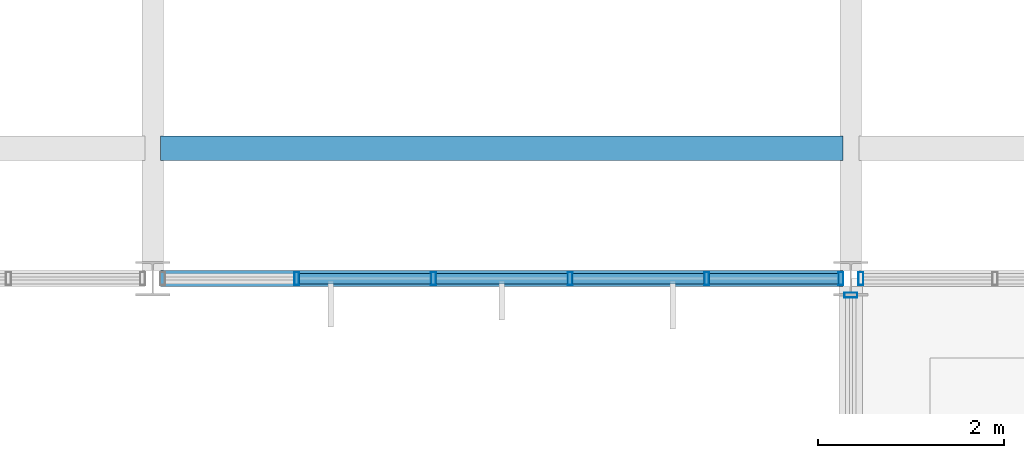
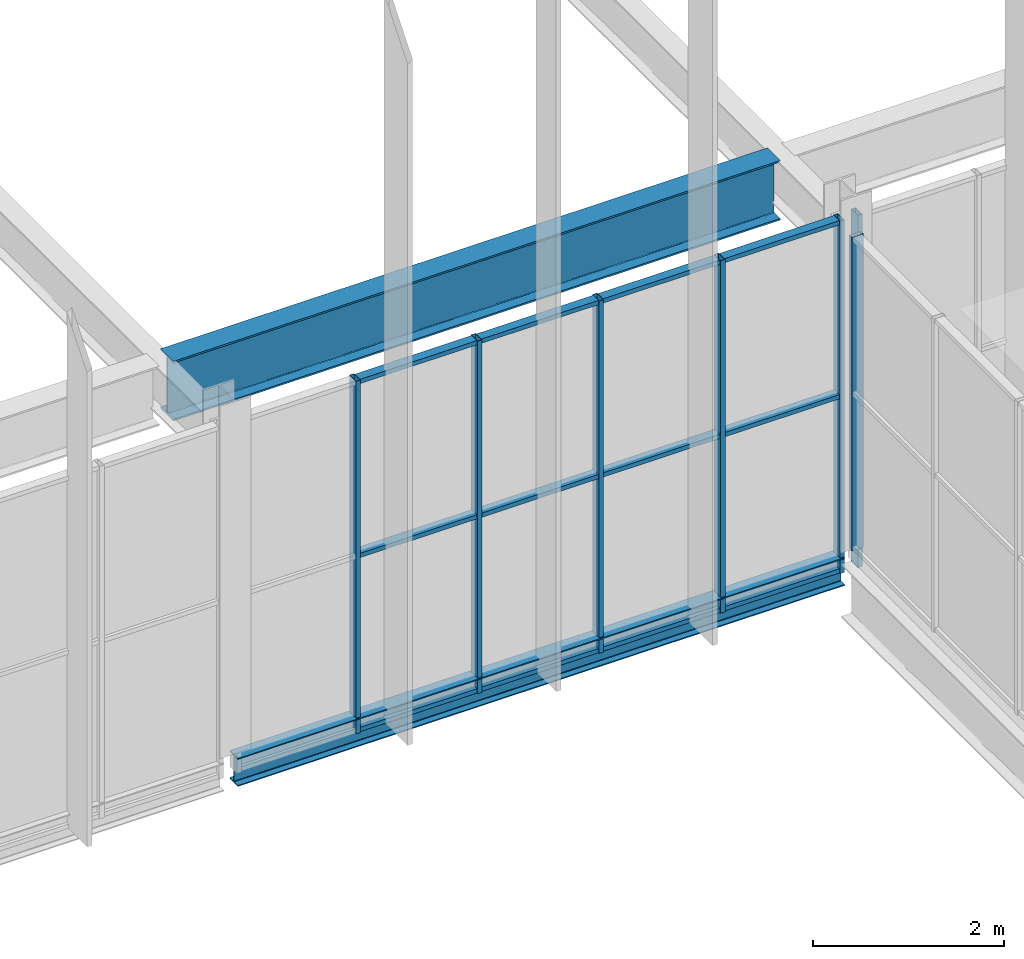
# One storey, part 178 of 324: 19 members, 2 beams, 3 elements without a shape of their own.
"""IFC4 building model written with IfcOpenShell, lengths in metres."""

from ifc_helpers import new_model, si_unit, direction, frame, origin, origin_2d, place, context, subcontext, project, spatial, hollow_rectangle, i_section, extrude, material, layer, layer_set, material_profile, profile_set, type_object, element, aggregate, save


model = new_model("IFC4")

# Units and contexts
model_context = context("Model", 3, precision=1e-05, world=origin(), true_north=direction((0.0, 1.0)))
body_context = subcontext(model_context, "Body", "Model", "MODEL_VIEW")
ifc_project = project(units=[si_unit("LENGTHUNIT", "METRE"), si_unit("AREAUNIT", "SQUARE_METRE"), si_unit("VOLUMEUNIT", "CUBIC_METRE"), si_unit("PLANEANGLEUNIT", "RADIAN"), si_unit("MASSUNIT", "GRAM", prefix="KILO")], contexts=[model_context])

# Site, building, storey
site_placement = place(None, origin())
site = spatial("IfcSite", under=ifc_project, at=site_placement, CompositionType="ELEMENT")
building_placement = place(site_placement, origin())
building = spatial("IfcBuilding", under=site, at=building_placement, Name="Solvenia Promenade Tram Depot", CompositionType="ELEMENT")
storey_placement = place(building_placement, frame((0.0, 0.0, 4.5)))
storey = spatial("IfcBuildingStorey", under=building, at=storey_placement, Name="L01", CompositionType="ELEMENT", Elevation=4.5)

# Curtain wall, members
ifc_material_1 = material(Name="Anodized aluminium AW-6063 T6", Category="aluminium")
ifc_layer_1 = layer(ifc_material_1, 0.080078125, Name="Anodized aluminium AW-6063 T6", Category="aluminium")
ifc_layer_set_1 = layer_set([ifc_layer_1], Name="Anodized aluminium AW-6063 T6")
curtain_wall_type_1 = type_object("IfcCurtainWallType", Name="CW-Clerest-1500", PredefinedType="NOTDEFINED", material=ifc_layer_set_1)
curtain_wall_1_placement = place(storey_placement, origin())
curtain_wall_1 = element("IfcCurtainWall", 1, at=curtain_wall_1_placement, inside=storey, type_object=curtain_wall_type_1, Name="Curtain Wall CW-V2S-L1-04", PredefinedType="NOTDEFINED")
ifc_material_profile_1 = material_profile(ifc_material_1, hollow_rectangle(XDim=0.139892578125, YDim=0.054931640625, WallThickness=0.00390625, at=origin_2d()), Name="ALU-M4", Category="aluminium")
ifc_profile_set_1 = profile_set([ifc_material_profile_1], Name="Anodized aluminium AW-6063 T6")
member_type_1 = type_object("IfcMemberType", Name="CWM-Mullion-4", PredefinedType="MULLION", material=ifc_profile_set_1)
member_1_placement = place(storey_placement, frame((129.048095703125, 24.0, -0.35009765625), z_axis=(0.0, 0.0, 1.0), x_axis=(0.0, 1.0, 0.0)))
member_1 = element("IfcMember", 2, at=member_1_placement, type_object=member_type_1, Name="CW-4 mullion 2", PredefinedType="MULLION", context=body_context, shape_type="SweptSolid", body=[
    extrude(hollow_rectangle(XDim=0.139892578125, YDim=0.054931640625, WallThickness=0.00390625, at=origin_2d()), origin(), (0.0, 0.0, 1.0), 4.5),
])
member_2_placement = place(storey_placement, frame((130.51611328125, 24.0, -0.35009765625), z_axis=(0.0, 0.0, 1.0), x_axis=(0.0, 1.0, 0.0)))
member_2 = element("IfcMember", 3, at=member_2_placement, type_object=member_type_1, Name="CW-4 mullion 3", PredefinedType="MULLION", context=body_context, shape_type="SweptSolid", body=[
    extrude(hollow_rectangle(XDim=0.139892578125, YDim=0.054931640625, WallThickness=0.00390625, at=origin_2d()), origin(), (0.0, 0.0, 1.0), 4.5),
])
member_3_placement = place(storey_placement, frame((131.98388671875, 24.0, -0.35009765625), z_axis=(0.0, 0.0, 1.0), x_axis=(0.0, 1.0, 0.0)))
member_3 = element("IfcMember", 4, at=member_3_placement, type_object=member_type_1, Name="CW-4 mullion 4", PredefinedType="MULLION", context=body_context, shape_type="SweptSolid", body=[
    extrude(hollow_rectangle(XDim=0.139892578125, YDim=0.054931640625, WallThickness=0.00390625, at=origin_2d()), origin(), (0.0, 0.0, 1.0), 4.5),
])
member_4_placement = place(storey_placement, frame((133.451904296875, 24.0, -0.35009765625), z_axis=(0.0, 0.0, 1.0), x_axis=(0.0, 1.0, 0.0)))
member_4 = element("IfcMember", 5, at=member_4_placement, type_object=member_type_1, Name="CW-4 mullion 5", PredefinedType="MULLION", context=body_context, shape_type="SweptSolid", body=[
    extrude(hollow_rectangle(XDim=0.139892578125, YDim=0.054931640625, WallThickness=0.00390625, at=origin_2d()), origin(), (0.0, 0.0, 1.0), 4.5),
])
member_5_placement = place(storey_placement, frame((134.892578125, 24.0, -0.35009765625), z_axis=(0.0, 0.0, 1.0), x_axis=(0.0, 1.0, 0.0)))
member_5 = element("IfcMember", 6, at=member_5_placement, type_object=member_type_1, Name="CW-4 mullion 6", PredefinedType="MULLION", context=body_context, shape_type="SweptSolid", body=[
    extrude(hollow_rectangle(XDim=0.139892578125, YDim=0.054931640625, WallThickness=0.00390625, at=origin_2d()), origin(), (0.0, 0.0, 1.0), 4.5),
])

# Curtain wall, member
curtain_wall_2_placement = place(storey_placement, origin())
curtain_wall_2 = element("IfcCurtainWall", 7, at=curtain_wall_2_placement, inside=storey, type_object=curtain_wall_type_1, Name="Curtain Wall CW-V2S-L1-05", PredefinedType="NOTDEFINED")
member_6_placement = place(storey_placement, frame((135.107421875, 24.0, -0.35009765625), z_axis=(0.0, 0.0, 1.0), x_axis=(0.0, 1.0, 0.0)))
member_6 = element("IfcMember", 8, at=member_6_placement, type_object=member_type_1, Name="CW-4 mullion 1", PredefinedType="MULLION", context=body_context, shape_type="SweptSolid", body=[
    extrude(hollow_rectangle(XDim=0.139892578125, YDim=0.054931640625, WallThickness=0.00390625, at=origin_2d()), origin(), (0.0, 0.0, 1.0), 4.5),
])
aggregate(curtain_wall_2, [member_6])

ifc_layer_2 = layer(ifc_material_1, 0.179931640625, Name="Anodized aluminium AW-6063 T6", Category="aluminium")
ifc_layer_set_2 = layer_set([ifc_layer_2], Name="Anodized aluminium AW-6063 T6")
curtain_wall_type_2 = type_object("IfcCurtainWallType", Name="CW-Prom-1800", PredefinedType="NOTDEFINED", material=ifc_layer_set_2)
curtain_wall_3_placement = place(storey_placement, origin())
curtain_wall_3 = element("IfcCurtainWall", 9, at=curtain_wall_3_placement, inside=storey, type_object=curtain_wall_type_2, Name="Curtain Wall CW-V5W-L01", PredefinedType="NOTDEFINED")
member_7_placement = place(storey_placement, frame((135.0, 23.822509765625, 0.0), z_axis=(0.0, 0.0, 1.0), x_axis=(-1.0, 0.0, 0.0)))
member_7 = element("IfcMember", 10, at=member_7_placement, type_object=member_type_1, Name="CW-9 mullion 10", PredefinedType="MULLION", context=body_context, shape_type="SweptSolid", body=[
    extrude(hollow_rectangle(XDim=0.139892578125, YDim=0.054931640625, WallThickness=0.00390625, at=origin_2d()), origin(), (0.0, 0.0, 1.0), 4.0),
])
aggregate(curtain_wall_3, [member_7])

# Member
ifc_material_profile_2 = material_profile(ifc_material_1, hollow_rectangle(XDim=0.110107421875, YDim=0.054931640625, WallThickness=0.00390625, at=origin_2d()), Name="ALU-T4", Category="aluminium")
ifc_profile_set_2 = profile_set([ifc_material_profile_2], Name="Anodized aluminium AW-6063 T6")
member_type_2 = type_object("IfcMemberType", Name="CWT-Transom-4", PredefinedType="USERDEFINED", material=ifc_profile_set_2)
member_8_placement = place(storey_placement, frame((129.075439453125, 24.0, -0.322509765625), z_axis=(1.0, 0.0, 0.0), x_axis=(0.0, 1.0, 0.0)))
member_8 = element("IfcMember", 11, at=member_8_placement, type_object=member_type_2, Name="CW-4 transom 2.1", ObjectType="TRANSOM", PredefinedType="USERDEFINED", context=body_context, shape_type="SweptSolid", body=[
    extrude(hollow_rectangle(XDim=0.110107421875, YDim=0.054931640625, WallThickness=0.00390625, at=origin_2d()), origin(), (0.0, 0.0, 1.0), 1.4130859375),
])

member_9_placement = place(storey_placement, frame((129.075439453125, 24.0, 1.89990234375), z_axis=(1.0, 0.0, 0.0), x_axis=(0.0, 1.0, 0.0)))
member_9 = element("IfcMember", 12, at=member_9_placement, type_object=member_type_2, Name="CW-4 transom 2.2", ObjectType="TRANSOM", PredefinedType="USERDEFINED", context=body_context, shape_type="SweptSolid", body=[
    extrude(hollow_rectangle(XDim=0.110107421875, YDim=0.054931640625, WallThickness=0.00390625, at=origin_2d()), origin(), (0.0, 0.0, 1.0), 1.4130859375),
])

member_10_placement = place(storey_placement, frame((129.075439453125, 24.0, 4.12255859375), z_axis=(1.0, 0.0, 0.0), x_axis=(0.0, 1.0, 0.0)))
member_10 = element("IfcMember", 13, at=member_10_placement, type_object=member_type_2, Name="CW-4 transom 2.3", ObjectType="TRANSOM", PredefinedType="USERDEFINED", context=body_context, shape_type="SweptSolid", body=[
    extrude(hollow_rectangle(XDim=0.110107421875, YDim=0.054931640625, WallThickness=0.00390625, at=origin_2d()), origin(), (0.0, 0.0, 1.0), 1.4130859375),
])

member_11_placement = place(storey_placement, frame((130.54345703125, 24.0, -0.322509765625), z_axis=(1.0, 0.0, 0.0), x_axis=(0.0, 1.0, 0.0)))
member_11 = element("IfcMember", 14, at=member_11_placement, type_object=member_type_2, Name="CW-4 transom 3.1", ObjectType="TRANSOM", PredefinedType="USERDEFINED", context=body_context, shape_type="SweptSolid", body=[
    extrude(hollow_rectangle(XDim=0.110107421875, YDim=0.054931640625, WallThickness=0.00390625, at=origin_2d()), origin(), (0.0, 0.0, 1.0), 1.4130859375),
])

member_12_placement = place(storey_placement, frame((130.54345703125, 24.0, 1.89990234375), z_axis=(1.0, 0.0, 0.0), x_axis=(0.0, 1.0, 0.0)))
member_12 = element("IfcMember", 15, at=member_12_placement, type_object=member_type_2, Name="CW-4 transom 3.2", ObjectType="TRANSOM", PredefinedType="USERDEFINED", context=body_context, shape_type="SweptSolid", body=[
    extrude(hollow_rectangle(XDim=0.110107421875, YDim=0.054931640625, WallThickness=0.00390625, at=origin_2d()), origin(), (0.0, 0.0, 1.0), 1.4130859375),
])

member_13_placement = place(storey_placement, frame((130.54345703125, 24.0, 4.12255859375), z_axis=(1.0, 0.0, 0.0), x_axis=(0.0, 1.0, 0.0)))
member_13 = element("IfcMember", 16, at=member_13_placement, type_object=member_type_2, Name="CW-4 transom 3.3", ObjectType="TRANSOM", PredefinedType="USERDEFINED", context=body_context, shape_type="SweptSolid", body=[
    extrude(hollow_rectangle(XDim=0.110107421875, YDim=0.054931640625, WallThickness=0.00390625, at=origin_2d()), origin(), (0.0, 0.0, 1.0), 1.4130859375),
])

member_14_placement = place(storey_placement, frame((132.011474609375, 24.0, -0.322509765625), z_axis=(1.0, 0.0, 0.0), x_axis=(0.0, 1.0, 0.0)))
member_14 = element("IfcMember", 17, at=member_14_placement, type_object=member_type_2, Name="CW-4 transom 4.1", ObjectType="TRANSOM", PredefinedType="USERDEFINED", context=body_context, shape_type="SweptSolid", body=[
    extrude(hollow_rectangle(XDim=0.110107421875, YDim=0.054931640625, WallThickness=0.00390625, at=origin_2d()), origin(), (0.0, 0.0, 1.0), 1.4130859375),
])

member_15_placement = place(storey_placement, frame((132.011474609375, 24.0, 1.89990234375), z_axis=(1.0, 0.0, 0.0), x_axis=(0.0, 1.0, 0.0)))
member_15 = element("IfcMember", 18, at=member_15_placement, type_object=member_type_2, Name="CW-4 transom 4.2", ObjectType="TRANSOM", PredefinedType="USERDEFINED", context=body_context, shape_type="SweptSolid", body=[
    extrude(hollow_rectangle(XDim=0.110107421875, YDim=0.054931640625, WallThickness=0.00390625, at=origin_2d()), origin(), (0.0, 0.0, 1.0), 1.4130859375),
])

member_16_placement = place(storey_placement, frame((132.011474609375, 24.0, 4.12255859375), z_axis=(1.0, 0.0, 0.0), x_axis=(0.0, 1.0, 0.0)))
member_16 = element("IfcMember", 19, at=member_16_placement, type_object=member_type_2, Name="CW-4 transom 4.3", ObjectType="TRANSOM", PredefinedType="USERDEFINED", context=body_context, shape_type="SweptSolid", body=[
    extrude(hollow_rectangle(XDim=0.110107421875, YDim=0.054931640625, WallThickness=0.00390625, at=origin_2d()), origin(), (0.0, 0.0, 1.0), 1.4130859375),
])

member_17_placement = place(storey_placement, frame((133.4794921875, 24.0, -0.322509765625), z_axis=(1.0, 0.0, 0.0), x_axis=(0.0, 1.0, 0.0)))
member_17 = element("IfcMember", 20, at=member_17_placement, type_object=member_type_2, Name="CW-4 transom 5.1", ObjectType="TRANSOM", PredefinedType="USERDEFINED", context=body_context, shape_type="SweptSolid", body=[
    extrude(hollow_rectangle(XDim=0.110107421875, YDim=0.054931640625, WallThickness=0.00390625, at=origin_2d()), origin(), (0.0, 0.0, 1.0), 1.385498046875),
])

member_18_placement = place(storey_placement, frame((133.4794921875, 24.0, 1.89990234375), z_axis=(1.0, 0.0, 0.0), x_axis=(0.0, 1.0, 0.0)))
member_18 = element("IfcMember", 21, at=member_18_placement, type_object=member_type_2, Name="CW-4 transom 5.2", ObjectType="TRANSOM", PredefinedType="USERDEFINED", context=body_context, shape_type="SweptSolid", body=[
    extrude(hollow_rectangle(XDim=0.110107421875, YDim=0.054931640625, WallThickness=0.00390625, at=origin_2d()), origin(), (0.0, 0.0, 1.0), 1.385498046875),
])

member_19_placement = place(storey_placement, frame((133.4794921875, 24.0, 4.12255859375), z_axis=(1.0, 0.0, 0.0), x_axis=(0.0, 1.0, 0.0)))
member_19 = element("IfcMember", 22, at=member_19_placement, type_object=member_type_2, Name="CW-4 transom 5.3", ObjectType="TRANSOM", PredefinedType="USERDEFINED", context=body_context, shape_type="SweptSolid", body=[
    extrude(hollow_rectangle(XDim=0.110107421875, YDim=0.054931640625, WallThickness=0.00390625, at=origin_2d()), origin(), (0.0, 0.0, 1.0), 1.385498046875),
])

aggregate(curtain_wall_1, [member_1, member_2, member_3, member_4, member_5, member_8, member_9, member_10, member_11, member_12, member_13, member_14, member_15, member_16, member_17, member_18, member_19])

# Beams
ifc_material_2 = material(Name="Structural steel ASTM A992 Gr. 50", Category="steel")
ifc_material_profile_3 = material_profile(ifc_material_2, i_section(OverallWidth=0.26708984375, OverallDepth=0.761962890625, WebThickness=0.014404296875, FlangeThickness=0.021484375, FilletRadius=0.01806640625, at=origin_2d()), Name="W760x173", Category="steel")
ifc_profile_set_3 = profile_set([ifc_material_profile_3], Name="Structural steel ASTM A992 Gr. 50")
beam_type_1 = type_object("IfcBeamType", Name="Gird-W760x173", PredefinedType="BEAM", material=ifc_profile_set_3)
beam_1_placement = place(storey_placement, frame((127.5849609375, 25.39990234375, 3.718994140625), z_axis=(1.0, 0.0, 0.0), x_axis=(0.0, 1.0, 0.0)))
element("IfcBeam", 23, at=beam_1_placement, inside=storey, type_object=beam_type_1, Name="Bridge Crane Runway Girder BM-L01-0919", PredefinedType="BEAM", context=body_context, shape_type="SweptSolid", body=[
    extrude(i_section(OverallWidth=0.26708984375, OverallDepth=0.761962890625, WebThickness=0.014404296875, FlangeThickness=0.021484375, FilletRadius=0.01806640625, at=origin_2d()), origin(), (0.0, 0.0, 1.0), 7.330078125),
])
ifc_material_profile_4 = material_profile(ifc_material_2, i_section(OverallWidth=0.172119140625, OverallDepth=0.35791015625, WebThickness=0.0078125, FlangeThickness=0.01318359375, FilletRadius=0.010986328125, at=origin_2d()), Name="W360x57", Category="steel")
ifc_profile_set_4 = profile_set([ifc_material_profile_4], Name="Structural steel ASTM A992 Gr. 50")
beam_type_2 = type_object("IfcBeamType", Name="Spandrel-W360x57", PredefinedType="SPANDREL", material=ifc_profile_set_4)
beam_2_placement = place(storey_placement, frame((127.5849609375, 24.0, -0.3291015625), z_axis=(1.0, 0.0, 0.0), x_axis=(0.0, 1.0, 0.0)))
element("IfcBeam", 24, at=beam_2_placement, inside=storey, type_object=beam_type_2, Name="Crane Hall L01 Facade Girt BM-L01-0994", PredefinedType="SPANDREL", context=body_context, shape_type="SweptSolid", body=[
    extrude(i_section(OverallWidth=0.172119140625, OverallDepth=0.35791015625, WebThickness=0.0078125, FlangeThickness=0.01318359375, FilletRadius=0.010986328125, at=origin_2d()), origin(), (0.0, 0.0, 1.0), 7.330078125),
])

save(model, "model.ifc")
